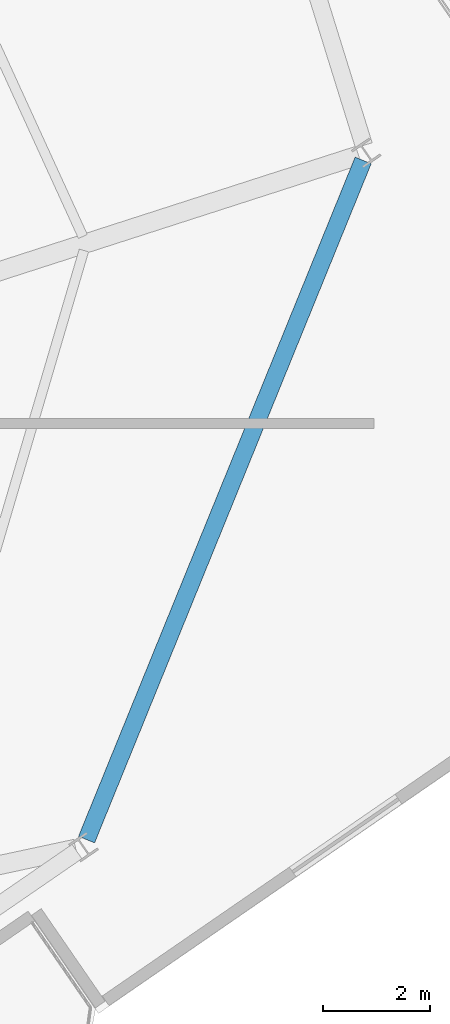
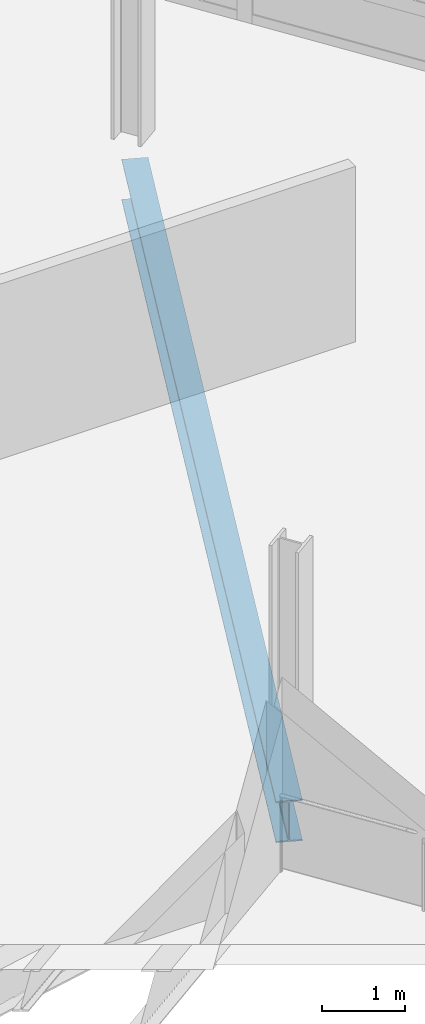
# One storey, part 12 of 23: 1 beam.
"""IFC4 building model written with IfcOpenShell, lengths in metres."""

from ifc_helpers import new_model, si_unit, direction, frame, origin, origin_2d, place, context, subcontext, project, spatial, i_section, extrude, material, material_profile, profile_set, type_object, element, save


model = new_model("IFC4")

# Units and contexts
model_context = context("Model", 3, precision=1e-05, world=origin(), true_north=direction((0.0, 1.0)))
body_context = subcontext(model_context, "Body", "Model", "MODEL_VIEW")
ifc_project = project(units=[si_unit("LENGTHUNIT", "METRE"), si_unit("AREAUNIT", "SQUARE_METRE"), si_unit("VOLUMEUNIT", "CUBIC_METRE"), si_unit("PLANEANGLEUNIT", "RADIAN"), si_unit("MASSUNIT", "GRAM", prefix="KILO")], contexts=[model_context])

# Site, building, storey
site_placement = place(None, origin())
site = spatial("IfcSite", under=ifc_project, at=site_placement, CompositionType="ELEMENT")
building_placement = place(site_placement, origin())
building = spatial("IfcBuilding", under=site, at=building_placement, Name="Varnelok Gate Tower", CompositionType="ELEMENT")
storey_placement = place(building_placement, frame((0.0, 0.0, 287.800048828125)))
storey = spatial("IfcBuildingStorey", under=building, at=storey_placement, Name="L74", CompositionType="ELEMENT", Elevation=287.800048828125)

# Beam
ifc_material = material(Name="Structural Steel ASTM A992 Grade 50", Category="steel")
ifc_material_profile = material_profile(ifc_material, i_section(OverallWidth=0.323974609375, OverallDepth=0.611083984375, WebThickness=0.0126953125, FlangeThickness=0.01904296875, FilletRadius=0.01806640625, at=origin_2d()), Name="W24X104")
ifc_profile_set = profile_set([ifc_material_profile], Name="Structural Steel ASTM A992 Grade 50")
beam_type = type_object("IfcBeamType", Name="BM-SPN-W24X104", PredefinedType="SPANDREL", material=ifc_profile_set)
beam_placement = place(storey_placement, frame((64.634765625, 21.20849609375, -0.5556640625), z_axis=(0.377167779659, 0.926144948692, 0.0), x_axis=(-0.926144948692, 0.377167779659, 0.0)))
element("IfcBeam", 1, at=beam_placement, inside=storey, type_object=beam_type, Name="L74 Perimeter Spandrel Beam 5", PredefinedType="SPANDREL", context=body_context, shape_type="SweptSolid", body=[
    extrude(i_section(OverallWidth=0.323974609375, OverallDepth=0.611083984375, WebThickness=0.0126953125, FlangeThickness=0.01904296875, FilletRadius=0.01806640625, at=origin_2d()), origin(), (0.0, 0.0, 1.0), 13.695556640625),
])

save(model, "model.ifc")
